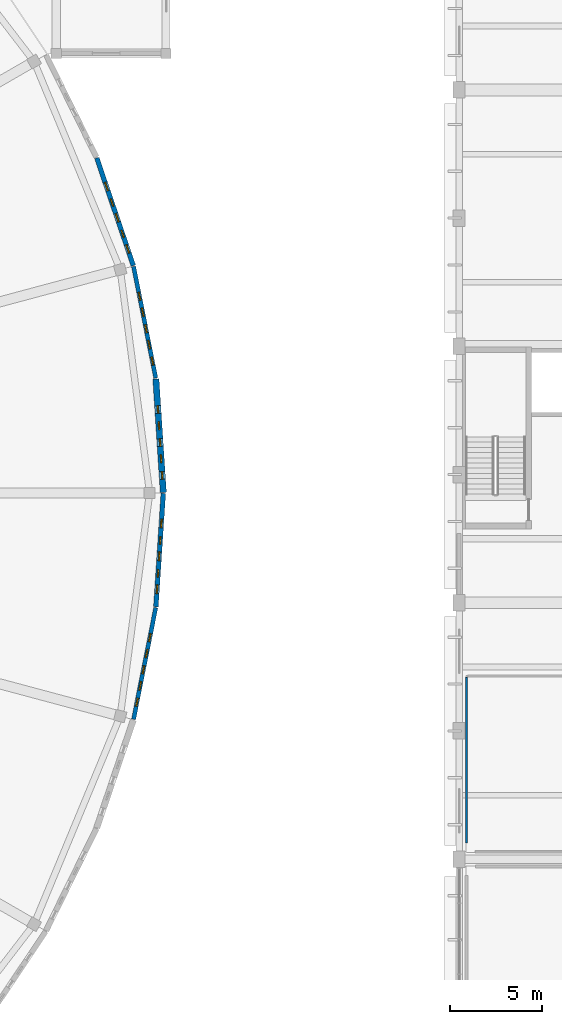
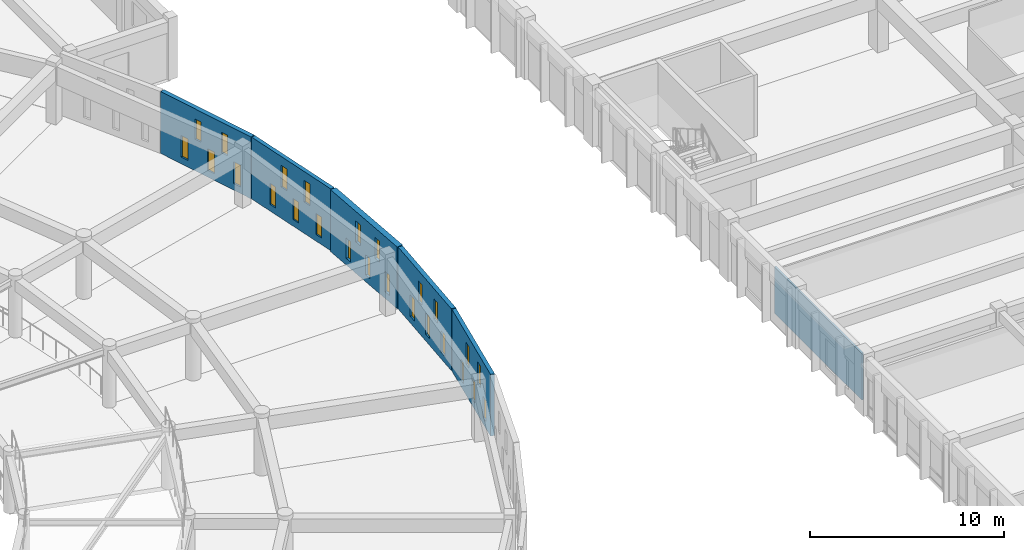
# One storey, part 61 of 98: 25 windows, 6 walls, 25 openings.
"""IFC4 building model written with IfcOpenShell, lengths in metres."""

from ifc_helpers import new_model, si_unit, direction, frame, frame_2d, origin, place, context, subcontext, project, spatial, rectangle, extrude, material, layer, layer_set, type_object, element, fill, save


model = new_model("IFC4")

# Units and contexts
model_context = context("Model", 3, precision=1e-05, world=origin(), true_north=direction((0.0, 1.0)))
body_context = subcontext(model_context, "Body", "Model", "MODEL_VIEW")
ifc_project = project(units=[si_unit("LENGTHUNIT", "METRE"), si_unit("AREAUNIT", "SQUARE_METRE"), si_unit("VOLUMEUNIT", "CUBIC_METRE"), si_unit("PLANEANGLEUNIT", "RADIAN"), si_unit("MASSUNIT", "GRAM", prefix="KILO")], contexts=[model_context])

# Site, building, storey
site_placement = place(None, origin())
site = spatial("IfcSite", under=ifc_project, at=site_placement, CompositionType="ELEMENT")
building_placement = place(site_placement, origin())
building = spatial("IfcBuilding", under=site, at=building_placement, Name="Larkveld Mobility Hub", CompositionType="ELEMENT")
storey_placement = place(building_placement, frame((0.0, 0.0, 4.5)))
storey = spatial("IfcBuildingStorey", under=building, at=storey_placement, Name="L01", CompositionType="ELEMENT", Elevation=4.5)

# Wall, openings, windows
ifc_material_1 = material(Name="Fired clay brick 25 MPa", Category="masonry")
ifc_layer_1 = layer(ifc_material_1, 0.22998046875, Name="Fired clay brick 25 MPa", Category="masonry")
ifc_layer_set_1 = layer_set([ifc_layer_1], Name="Fired clay brick 25 MPa")
wall_type_1 = type_object("IfcWallType", Name="WL-BRK-230", PredefinedType="USERDEFINED", material=ifc_layer_set_1)
wall_1_placement = place(storey_placement, frame((95.43603515625, 54.27001953125, 0.0), z_axis=(0.0, 0.0, 1.0), x_axis=(-0.195019632022, 0.980799338869, 0.0)))
wall_1 = element("IfcWall", 1, at=wall_1_placement, inside=storey, type_object=wall_type_1, Name="Drum Woven Open-Bond Brick Chord L01-0048", ObjectType="PERFORATED BRICK SCREEN", PredefinedType="USERDEFINED", context=body_context, shape_type="SweptSolid", body=[
    extrude(rectangle(XDim=6.209228515625, YDim=0.22998046875, at=frame_2d((3.1044921875, 0.0))), origin(), (0.0, 0.0, 1.0), 3.89990234375),
])
opening_1_placement = place(wall_1_placement, frame((0.719970703125, 0.0, 0.419921875)))
opening_1 = element("IfcOpeningElement", 2, at=opening_1_placement, cuts=wall_1, Name="Opening W02", PredefinedType="OPENING", context=body_context, shape_type="SweptSolid", body=[
    extrude(rectangle(XDim=0.449951171875, YDim=1.320068359375, at=frame_2d((0.22509765625, 0.66015625))), frame((0.0, 0.125, 0.0), z_axis=(0.0, -1.0, 0.0), x_axis=(1.0, 0.0, 0.0)), (0.0, 0.0, 1.0), 0.25),
])
opening_2_placement = place(wall_1_placement, frame((2.52001953125, 0.0, 0.419921875)))
opening_2 = element("IfcOpeningElement", 3, at=opening_2_placement, cuts=wall_1, Name="Opening W02", PredefinedType="OPENING", context=body_context, shape_type="SweptSolid", body=[
    extrude(rectangle(XDim=0.449951171875, YDim=1.320068359375, at=frame_2d((0.22509765625, 0.66015625))), frame((0.0, 0.125, 0.0), z_axis=(0.0, -1.0, 0.0), x_axis=(1.0, 0.0, 0.0)), (0.0, 0.0, 1.0), 0.25),
])
opening_3_placement = place(wall_1_placement, frame((4.320068359375, 0.0, 0.419921875)))
opening_3 = element("IfcOpeningElement", 4, at=opening_3_placement, cuts=wall_1, Name="Opening W02", PredefinedType="OPENING", context=body_context, shape_type="SweptSolid", body=[
    extrude(rectangle(XDim=0.449951171875, YDim=1.320068359375, at=frame_2d((0.22509765625, 0.66015625))), frame((0.0, 0.125, 0.0), z_axis=(0.0, -1.0, 0.0), x_axis=(1.0, 0.0, 0.0)), (0.0, 0.0, 1.0), 0.25),
])
opening_4_placement = place(wall_1_placement, frame((1.6201171875, 0.0, 1.97998046875)))
opening_4 = element("IfcOpeningElement", 5, at=opening_4_placement, cuts=wall_1, Name="Opening W03", PredefinedType="OPENING", context=body_context, shape_type="SweptSolid", body=[
    extrude(rectangle(XDim=0.47998046875, YDim=1.360107421875, at=frame_2d((0.239990234375, 0.68017578125))), frame((0.0, 0.125, 0.0), z_axis=(0.0, -1.0, 0.0), x_axis=(1.0, 0.0, 0.0)), (0.0, 0.0, 1.0), 0.25),
])
opening_5_placement = place(wall_1_placement, frame((3.419921875, 0.0, 1.97998046875)))
opening_5 = element("IfcOpeningElement", 6, at=opening_5_placement, cuts=wall_1, Name="Opening W03", PredefinedType="OPENING", context=body_context, shape_type="SweptSolid", body=[
    extrude(rectangle(XDim=0.47998046875, YDim=1.360107421875, at=frame_2d((0.239990234375, 0.68017578125))), frame((0.0, 0.125, 0.0), z_axis=(0.0, -1.0, 0.0), x_axis=(1.0, 0.0, 0.0)), (0.0, 0.0, 1.0), 0.25),
])
ifc_material_2 = material(Name="Extruded aluminium ventilation grille", Category="aluminium")
window_type_1 = type_object("IfcWindowType", Name="WN-VENT-02", PartitioningType="SINGLE_PANEL", PredefinedType="WINDOW", material=ifc_material_2)
window_1_placement = place(opening_1_placement, origin())
window_1 = element("IfcWindow", 7, at=window_1_placement, inside=storey, type_object=window_type_1, Name="Window W02 (0226)", OverallHeight=1.320068359375, OverallWidth=0.449951171875, PartitioningType="SINGLE_PANEL", PredefinedType="WINDOW", context=body_context, shape_type="SweptSolid", body=[
    extrude(rectangle(XDim=0.449951171875, YDim=1.320068359375, at=frame_2d((0.22509765625, 0.66015625))), frame((0.0, 0.030029296875, 0.0), z_axis=(0.0, -1.0, 0.0), x_axis=(1.0, 0.0, 0.0)), (0.0, 0.0, 1.0), 0.06005859375),
])
fill(opening_1, window_1)
window_2_placement = place(opening_2_placement, origin())
window_2 = element("IfcWindow", 8, at=window_2_placement, inside=storey, type_object=window_type_1, Name="Window W02 (0227)", OverallHeight=1.320068359375, OverallWidth=0.449951171875, PartitioningType="SINGLE_PANEL", PredefinedType="WINDOW", context=body_context, shape_type="SweptSolid", body=[
    extrude(rectangle(XDim=0.449951171875, YDim=1.320068359375, at=frame_2d((0.22509765625, 0.66015625))), frame((0.0, 0.030029296875, 0.0), z_axis=(0.0, -1.0, 0.0), x_axis=(1.0, 0.0, 0.0)), (0.0, 0.0, 1.0), 0.06005859375),
])
fill(opening_2, window_2)
window_3_placement = place(opening_3_placement, origin())
window_3 = element("IfcWindow", 9, at=window_3_placement, inside=storey, type_object=window_type_1, Name="Window W02 (0228)", OverallHeight=1.320068359375, OverallWidth=0.449951171875, PartitioningType="SINGLE_PANEL", PredefinedType="WINDOW", context=body_context, shape_type="SweptSolid", body=[
    extrude(rectangle(XDim=0.449951171875, YDim=1.320068359375, at=frame_2d((0.22509765625, 0.66015625))), frame((0.0, 0.030029296875, 0.0), z_axis=(0.0, -1.0, 0.0), x_axis=(1.0, 0.0, 0.0)), (0.0, 0.0, 1.0), 0.06005859375),
])
fill(opening_3, window_3)
window_type_2 = type_object("IfcWindowType", Name="WN-VENT-03", PartitioningType="SINGLE_PANEL", PredefinedType="WINDOW", material=ifc_material_2)
window_4_placement = place(opening_4_placement, origin())
window_4 = element("IfcWindow", 10, at=window_4_placement, inside=storey, type_object=window_type_2, Name="Window W03 (0229)", OverallHeight=1.360107421875, OverallWidth=0.47998046875, PartitioningType="SINGLE_PANEL", PredefinedType="WINDOW", context=body_context, shape_type="SweptSolid", body=[
    extrude(rectangle(XDim=0.47998046875, YDim=1.360107421875, at=frame_2d((0.239990234375, 0.68017578125))), frame((0.0, 0.030029296875, 0.0), z_axis=(0.0, -1.0, 0.0), x_axis=(1.0, 0.0, 0.0)), (0.0, 0.0, 1.0), 0.06005859375),
])
fill(opening_4, window_4)
window_5_placement = place(opening_5_placement, origin())
window_5 = element("IfcWindow", 11, at=window_5_placement, inside=storey, type_object=window_type_2, Name="Window W03 (0230)", OverallHeight=1.360107421875, OverallWidth=0.47998046875, PartitioningType="SINGLE_PANEL", PredefinedType="WINDOW", context=body_context, shape_type="SweptSolid", body=[
    extrude(rectangle(XDim=0.47998046875, YDim=1.360107421875, at=frame_2d((0.239990234375, 0.68017578125))), frame((0.0, 0.030029296875, 0.0), z_axis=(0.0, -1.0, 0.0), x_axis=(1.0, 0.0, 0.0)), (0.0, 0.0, 1.0), 0.06005859375),
])
fill(opening_5, window_5)

wall_2_placement = place(storey_placement, frame((94.22509765625, 35.639892578125, 0.0), z_axis=(0.0, 0.0, 1.0), x_axis=(0.195019632022, 0.980799338869, 0.0)))
wall_2 = element("IfcWall", 12, at=wall_2_placement, inside=storey, type_object=wall_type_1, Name="Drum Woven Open-Bond Brick Chord L01-0091", ObjectType="PERFORATED BRICK SCREEN", PredefinedType="USERDEFINED", context=body_context, shape_type="SweptSolid", body=[
    extrude(rectangle(XDim=6.209228515625, YDim=0.22998046875, at=frame_2d((3.1044921875, 0.0))), origin(), (0.0, 0.0, 1.0), 3.89990234375),
])
opening_6_placement = place(wall_2_placement, frame((0.719970703125, 0.0, 0.419921875)))
opening_6 = element("IfcOpeningElement", 13, at=opening_6_placement, cuts=wall_2, Name="Opening W02", PredefinedType="OPENING", context=body_context, shape_type="SweptSolid", body=[
    extrude(rectangle(XDim=0.449951171875, YDim=1.320068359375, at=frame_2d((0.22509765625, 0.66015625))), frame((0.0, 0.125, 0.0), z_axis=(0.0, -1.0, 0.0), x_axis=(1.0, 0.0, 0.0)), (0.0, 0.0, 1.0), 0.25),
])
opening_7_placement = place(wall_2_placement, frame((2.52001953125, 0.0, 0.419921875)))
opening_7 = element("IfcOpeningElement", 14, at=opening_7_placement, cuts=wall_2, Name="Opening W02", PredefinedType="OPENING", context=body_context, shape_type="SweptSolid", body=[
    extrude(rectangle(XDim=0.449951171875, YDim=1.320068359375, at=frame_2d((0.22509765625, 0.66015625))), frame((0.0, 0.125, 0.0), z_axis=(0.0, -1.0, 0.0), x_axis=(1.0, 0.0, 0.0)), (0.0, 0.0, 1.0), 0.25),
])
opening_8_placement = place(wall_2_placement, frame((4.320068359375, 0.0, 0.419921875)))
opening_8 = element("IfcOpeningElement", 15, at=opening_8_placement, cuts=wall_2, Name="Opening W02", PredefinedType="OPENING", context=body_context, shape_type="SweptSolid", body=[
    extrude(rectangle(XDim=0.449951171875, YDim=1.320068359375, at=frame_2d((0.22509765625, 0.66015625))), frame((0.0, 0.125, 0.0), z_axis=(0.0, -1.0, 0.0), x_axis=(1.0, 0.0, 0.0)), (0.0, 0.0, 1.0), 0.25),
])
opening_9_placement = place(wall_2_placement, frame((1.6201171875, 0.0, 1.97998046875)))
opening_9 = element("IfcOpeningElement", 16, at=opening_9_placement, cuts=wall_2, Name="Opening W03", PredefinedType="OPENING", context=body_context, shape_type="SweptSolid", body=[
    extrude(rectangle(XDim=0.47998046875, YDim=1.360107421875, at=frame_2d((0.239990234375, 0.68017578125))), frame((0.0, 0.125, 0.0), z_axis=(0.0, -1.0, 0.0), x_axis=(1.0, 0.0, 0.0)), (0.0, 0.0, 1.0), 0.25),
])
opening_10_placement = place(wall_2_placement, frame((3.419921875, 0.0, 1.97998046875)))
opening_10 = element("IfcOpeningElement", 17, at=opening_10_placement, cuts=wall_2, Name="Opening W03", PredefinedType="OPENING", context=body_context, shape_type="SweptSolid", body=[
    extrude(rectangle(XDim=0.47998046875, YDim=1.360107421875, at=frame_2d((0.239990234375, 0.68017578125))), frame((0.0, 0.125, 0.0), z_axis=(0.0, -1.0, 0.0), x_axis=(1.0, 0.0, 0.0)), (0.0, 0.0, 1.0), 0.25),
])
window_6_placement = place(opening_6_placement, origin())
window_6 = element("IfcWindow", 18, at=window_6_placement, inside=storey, type_object=window_type_1, Name="Window W02 (0441)", OverallHeight=1.320068359375, OverallWidth=0.449951171875, PartitioningType="SINGLE_PANEL", PredefinedType="WINDOW", context=body_context, shape_type="SweptSolid", body=[
    extrude(rectangle(XDim=0.449951171875, YDim=1.320068359375, at=frame_2d((0.22509765625, 0.66015625))), frame((0.0, 0.030029296875, 0.0), z_axis=(0.0, -1.0, 0.0), x_axis=(1.0, 0.0, 0.0)), (0.0, 0.0, 1.0), 0.06005859375),
])
fill(opening_6, window_6)
window_7_placement = place(opening_7_placement, origin())
window_7 = element("IfcWindow", 19, at=window_7_placement, inside=storey, type_object=window_type_1, Name="Window W02 (0442)", OverallHeight=1.320068359375, OverallWidth=0.449951171875, PartitioningType="SINGLE_PANEL", PredefinedType="WINDOW", context=body_context, shape_type="SweptSolid", body=[
    extrude(rectangle(XDim=0.449951171875, YDim=1.320068359375, at=frame_2d((0.22509765625, 0.66015625))), frame((0.0, 0.030029296875, 0.0), z_axis=(0.0, -1.0, 0.0), x_axis=(1.0, 0.0, 0.0)), (0.0, 0.0, 1.0), 0.06005859375),
])
fill(opening_7, window_7)
window_8_placement = place(opening_8_placement, origin())
window_8 = element("IfcWindow", 20, at=window_8_placement, inside=storey, type_object=window_type_1, Name="Window W02 (0443)", OverallHeight=1.320068359375, OverallWidth=0.449951171875, PartitioningType="SINGLE_PANEL", PredefinedType="WINDOW", context=body_context, shape_type="SweptSolid", body=[
    extrude(rectangle(XDim=0.449951171875, YDim=1.320068359375, at=frame_2d((0.22509765625, 0.66015625))), frame((0.0, 0.030029296875, 0.0), z_axis=(0.0, -1.0, 0.0), x_axis=(1.0, 0.0, 0.0)), (0.0, 0.0, 1.0), 0.06005859375),
])
fill(opening_8, window_8)
window_9_placement = place(opening_9_placement, origin())
window_9 = element("IfcWindow", 21, at=window_9_placement, inside=storey, type_object=window_type_2, Name="Window W03 (0444)", OverallHeight=1.360107421875, OverallWidth=0.47998046875, PartitioningType="SINGLE_PANEL", PredefinedType="WINDOW", context=body_context, shape_type="SweptSolid", body=[
    extrude(rectangle(XDim=0.47998046875, YDim=1.360107421875, at=frame_2d((0.239990234375, 0.68017578125))), frame((0.0, 0.030029296875, 0.0), z_axis=(0.0, -1.0, 0.0), x_axis=(1.0, 0.0, 0.0)), (0.0, 0.0, 1.0), 0.06005859375),
])
fill(opening_9, window_9)
window_10_placement = place(opening_10_placement, origin())
window_10 = element("IfcWindow", 22, at=window_10_placement, inside=storey, type_object=window_type_2, Name="Window W03 (0445)", OverallHeight=1.360107421875, OverallWidth=0.47998046875, PartitioningType="SINGLE_PANEL", PredefinedType="WINDOW", context=body_context, shape_type="SweptSolid", body=[
    extrude(rectangle(XDim=0.47998046875, YDim=1.360107421875, at=frame_2d((0.239990234375, 0.68017578125))), frame((0.0, 0.030029296875, 0.0), z_axis=(0.0, -1.0, 0.0), x_axis=(1.0, 0.0, 0.0)), (0.0, 0.0, 1.0), 0.06005859375),
])
fill(opening_10, window_10)

ifc_layer_2 = layer(ifc_material_1, 0.260009765625, Name="Fired clay brick 25 MPa", Category="masonry")
ifc_layer_set_2 = layer_set([ifc_layer_2], Name="Fired clay brick 25 MPa")
wall_type_2 = type_object("IfcWallType", Name="WL-BRK-260", PredefinedType="USERDEFINED", material=ifc_layer_set_2)
wall_3_placement = place(storey_placement, frame((94.2119140625, 60.406982421875, 0.0), z_axis=(0.0, 0.0, 1.0), x_axis=(-0.321364960579, 0.946955417172, 0.0)))
wall_3 = element("IfcWall", 23, at=wall_3_placement, inside=storey, type_object=wall_type_2, Name="Drum Woven Open-Bond Brick Chord L01-0049", ObjectType="PERFORATED BRICK SCREEN", PredefinedType="USERDEFINED", context=body_context, shape_type="SweptSolid", body=[
    extrude(rectangle(XDim=6.21044921875, YDim=0.260009765625, at=frame_2d((3.105224609375, 0.0))), origin(), (0.0, 0.0, 1.0), 3.89990234375),
])
opening_11_placement = place(wall_3_placement, frame((0.719970703125, 0.0, 0.419921875)))
opening_11 = element("IfcOpeningElement", 24, at=opening_11_placement, cuts=wall_3, Name="Opening W03", PredefinedType="OPENING", context=body_context, shape_type="SweptSolid", body=[
    extrude(rectangle(XDim=0.47998046875, YDim=1.360107421875, at=frame_2d((0.239990234375, 0.68017578125))), frame((0.0, 0.14013671875, 0.0), z_axis=(0.0, -1.0, 0.0), x_axis=(1.0, 0.0, 0.0)), (0.0, 0.0, 1.0), 0.280029296875),
])
opening_12_placement = place(wall_3_placement, frame((2.52001953125, 0.0, 0.419921875)))
opening_12 = element("IfcOpeningElement", 25, at=opening_12_placement, cuts=wall_3, Name="Opening W03", PredefinedType="OPENING", context=body_context, shape_type="SweptSolid", body=[
    extrude(rectangle(XDim=0.47998046875, YDim=1.360107421875, at=frame_2d((0.239990234375, 0.68017578125))), frame((0.0, 0.14013671875, 0.0), z_axis=(0.0, -1.0, 0.0), x_axis=(1.0, 0.0, 0.0)), (0.0, 0.0, 1.0), 0.280029296875),
])
opening_13_placement = place(wall_3_placement, frame((4.320068359375, 0.0, 0.419921875)))
opening_13 = element("IfcOpeningElement", 26, at=opening_13_placement, cuts=wall_3, Name="Opening W03", PredefinedType="OPENING", context=body_context, shape_type="SweptSolid", body=[
    extrude(rectangle(XDim=0.47998046875, YDim=1.360107421875, at=frame_2d((0.239990234375, 0.68017578125))), frame((0.0, 0.14013671875, 0.0), z_axis=(0.0, -1.0, 0.0), x_axis=(1.0, 0.0, 0.0)), (0.0, 0.0, 1.0), 0.280029296875),
])
opening_14_placement = place(wall_3_placement, frame((1.6201171875, 0.0, 1.97998046875)))
opening_14 = element("IfcOpeningElement", 27, at=opening_14_placement, cuts=wall_3, Name="Opening W01", PredefinedType="OPENING", context=body_context, shape_type="SweptSolid", body=[
    extrude(rectangle(XDim=0.419921875, YDim=1.280029296875, at=frame_2d((0.2099609375, 0.64013671875))), frame((0.0, 0.14013671875, 0.0), z_axis=(0.0, -1.0, 0.0), x_axis=(1.0, 0.0, 0.0)), (0.0, 0.0, 1.0), 0.280029296875),
])
opening_15_placement = place(wall_3_placement, frame((3.419921875, 0.0, 1.97998046875)))
opening_15 = element("IfcOpeningElement", 28, at=opening_15_placement, cuts=wall_3, Name="Opening W01", PredefinedType="OPENING", context=body_context, shape_type="SweptSolid", body=[
    extrude(rectangle(XDim=0.419921875, YDim=1.280029296875, at=frame_2d((0.2099609375, 0.64013671875))), frame((0.0, 0.14013671875, 0.0), z_axis=(0.0, -1.0, 0.0), x_axis=(1.0, 0.0, 0.0)), (0.0, 0.0, 1.0), 0.280029296875),
])
window_type_3 = type_object("IfcWindowType", Name="WN-VENT-01", PartitioningType="SINGLE_PANEL", PredefinedType="WINDOW", material=ifc_material_2)
window_11_placement = place(opening_14_placement, origin())
window_11 = element("IfcWindow", 29, at=window_11_placement, inside=storey, type_object=window_type_3, Name="Window W01 (0234)", OverallHeight=1.280029296875, OverallWidth=0.419921875, PartitioningType="SINGLE_PANEL", PredefinedType="WINDOW", context=body_context, shape_type="SweptSolid", body=[
    extrude(rectangle(XDim=0.419921875, YDim=1.280029296875, at=frame_2d((0.2099609375, 0.64013671875))), frame((0.0, 0.030029296875, 0.0), z_axis=(0.0, -1.0, 0.0), x_axis=(1.0, 0.0, 0.0)), (0.0, 0.0, 1.0), 0.06005859375),
])
fill(opening_14, window_11)
window_12_placement = place(opening_15_placement, origin())
window_12 = element("IfcWindow", 30, at=window_12_placement, inside=storey, type_object=window_type_3, Name="Window W01 (0235)", OverallHeight=1.280029296875, OverallWidth=0.419921875, PartitioningType="SINGLE_PANEL", PredefinedType="WINDOW", context=body_context, shape_type="SweptSolid", body=[
    extrude(rectangle(XDim=0.419921875, YDim=1.280029296875, at=frame_2d((0.2099609375, 0.64013671875))), frame((0.0, 0.030029296875, 0.0), z_axis=(0.0, -1.0, 0.0), x_axis=(1.0, 0.0, 0.0)), (0.0, 0.0, 1.0), 0.06005859375),
])
fill(opening_15, window_12)
window_13_placement = place(opening_11_placement, origin())
window_13 = element("IfcWindow", 31, at=window_13_placement, inside=storey, type_object=window_type_2, Name="Window W03 (0231)", OverallHeight=1.360107421875, OverallWidth=0.47998046875, PartitioningType="SINGLE_PANEL", PredefinedType="WINDOW", context=body_context, shape_type="SweptSolid", body=[
    extrude(rectangle(XDim=0.47998046875, YDim=1.360107421875, at=frame_2d((0.239990234375, 0.68017578125))), frame((0.0, 0.030029296875, 0.0), z_axis=(0.0, -1.0, 0.0), x_axis=(1.0, 0.0, 0.0)), (0.0, 0.0, 1.0), 0.06005859375),
])
fill(opening_11, window_13)
window_14_placement = place(opening_12_placement, origin())
window_14 = element("IfcWindow", 32, at=window_14_placement, inside=storey, type_object=window_type_2, Name="Window W03 (0232)", OverallHeight=1.360107421875, OverallWidth=0.47998046875, PartitioningType="SINGLE_PANEL", PredefinedType="WINDOW", context=body_context, shape_type="SweptSolid", body=[
    extrude(rectangle(XDim=0.47998046875, YDim=1.360107421875, at=frame_2d((0.239990234375, 0.68017578125))), frame((0.0, 0.030029296875, 0.0), z_axis=(0.0, -1.0, 0.0), x_axis=(1.0, 0.0, 0.0)), (0.0, 0.0, 1.0), 0.06005859375),
])
fill(opening_12, window_14)
window_15_placement = place(opening_13_placement, origin())
window_15 = element("IfcWindow", 33, at=window_15_placement, inside=storey, type_object=window_type_2, Name="Window W03 (0233)", OverallHeight=1.360107421875, OverallWidth=0.47998046875, PartitioningType="SINGLE_PANEL", PredefinedType="WINDOW", context=body_context, shape_type="SweptSolid", body=[
    extrude(rectangle(XDim=0.47998046875, YDim=1.360107421875, at=frame_2d((0.239990234375, 0.68017578125))), frame((0.0, 0.030029296875, 0.0), z_axis=(0.0, -1.0, 0.0), x_axis=(1.0, 0.0, 0.0)), (0.0, 0.0, 1.0), 0.06005859375),
])
fill(opening_13, window_15)

wall_4_placement = place(storey_placement, frame((95.443115234375, 41.778076171875, 0.0), z_axis=(0.0, 0.0, 1.0), x_axis=(0.065170180182, 0.997874164219, 0.0)))
wall_4 = element("IfcWall", 34, at=wall_4_placement, inside=storey, type_object=wall_type_2, Name="Drum Woven Open-Bond Brick Chord L01-0092", ObjectType="PERFORATED BRICK SCREEN", PredefinedType="USERDEFINED", context=body_context, shape_type="SweptSolid", body=[
    extrude(rectangle(XDim=6.211181640625, YDim=0.260009765625, at=frame_2d((3.10546875, 0.0))), origin(), (0.0, 0.0, 1.0), 3.89990234375),
])
opening_16_placement = place(wall_4_placement, frame((0.719970703125, 0.0, 0.419921875)))
opening_16 = element("IfcOpeningElement", 35, at=opening_16_placement, cuts=wall_4, Name="Opening W03", PredefinedType="OPENING", context=body_context, shape_type="SweptSolid", body=[
    extrude(rectangle(XDim=0.47998046875, YDim=1.360107421875, at=frame_2d((0.239990234375, 0.68017578125))), frame((0.0, 0.14013671875, 0.0), z_axis=(0.0, -1.0, 0.0), x_axis=(1.0, 0.0, 0.0)), (0.0, 0.0, 1.0), 0.280029296875),
])
opening_17_placement = place(wall_4_placement, frame((2.52001953125, 0.0, 0.419921875)))
opening_17 = element("IfcOpeningElement", 36, at=opening_17_placement, cuts=wall_4, Name="Opening W03", PredefinedType="OPENING", context=body_context, shape_type="SweptSolid", body=[
    extrude(rectangle(XDim=0.47998046875, YDim=1.360107421875, at=frame_2d((0.239990234375, 0.68017578125))), frame((0.0, 0.14013671875, 0.0), z_axis=(0.0, -1.0, 0.0), x_axis=(1.0, 0.0, 0.0)), (0.0, 0.0, 1.0), 0.280029296875),
])
opening_18_placement = place(wall_4_placement, frame((4.320068359375, 0.0, 0.419921875)))
opening_18 = element("IfcOpeningElement", 37, at=opening_18_placement, cuts=wall_4, Name="Opening W03", PredefinedType="OPENING", context=body_context, shape_type="SweptSolid", body=[
    extrude(rectangle(XDim=0.47998046875, YDim=1.360107421875, at=frame_2d((0.239990234375, 0.68017578125))), frame((0.0, 0.14013671875, 0.0), z_axis=(0.0, -1.0, 0.0), x_axis=(1.0, 0.0, 0.0)), (0.0, 0.0, 1.0), 0.280029296875),
])
opening_19_placement = place(wall_4_placement, frame((1.6201171875, 0.0, 1.97998046875)))
opening_19 = element("IfcOpeningElement", 38, at=opening_19_placement, cuts=wall_4, Name="Opening W01", PredefinedType="OPENING", context=body_context, shape_type="SweptSolid", body=[
    extrude(rectangle(XDim=0.419921875, YDim=1.280029296875, at=frame_2d((0.2099609375, 0.64013671875))), frame((0.0, 0.14013671875, 0.0), z_axis=(0.0, -1.0, 0.0), x_axis=(1.0, 0.0, 0.0)), (0.0, 0.0, 1.0), 0.280029296875),
])
opening_20_placement = place(wall_4_placement, frame((3.419921875, 0.0, 1.97998046875)))
opening_20 = element("IfcOpeningElement", 39, at=opening_20_placement, cuts=wall_4, Name="Opening W01", PredefinedType="OPENING", context=body_context, shape_type="SweptSolid", body=[
    extrude(rectangle(XDim=0.419921875, YDim=1.280029296875, at=frame_2d((0.2099609375, 0.64013671875))), frame((0.0, 0.14013671875, 0.0), z_axis=(0.0, -1.0, 0.0), x_axis=(1.0, 0.0, 0.0)), (0.0, 0.0, 1.0), 0.280029296875),
])
window_16_placement = place(opening_19_placement, origin())
window_16 = element("IfcWindow", 40, at=window_16_placement, inside=storey, type_object=window_type_3, Name="Window W01 (0449)", OverallHeight=1.280029296875, OverallWidth=0.419921875, PartitioningType="SINGLE_PANEL", PredefinedType="WINDOW", context=body_context, shape_type="SweptSolid", body=[
    extrude(rectangle(XDim=0.419921875, YDim=1.280029296875, at=frame_2d((0.2099609375, 0.64013671875))), frame((0.0, 0.030029296875, 0.0), z_axis=(0.0, -1.0, 0.0), x_axis=(1.0, 0.0, 0.0)), (0.0, 0.0, 1.0), 0.06005859375),
])
fill(opening_19, window_16)
window_17_placement = place(opening_20_placement, origin())
window_17 = element("IfcWindow", 41, at=window_17_placement, inside=storey, type_object=window_type_3, Name="Window W01 (0450)", OverallHeight=1.280029296875, OverallWidth=0.419921875, PartitioningType="SINGLE_PANEL", PredefinedType="WINDOW", context=body_context, shape_type="SweptSolid", body=[
    extrude(rectangle(XDim=0.419921875, YDim=1.280029296875, at=frame_2d((0.2099609375, 0.64013671875))), frame((0.0, 0.030029296875, 0.0), z_axis=(0.0, -1.0, 0.0), x_axis=(1.0, 0.0, 0.0)), (0.0, 0.0, 1.0), 0.06005859375),
])
fill(opening_20, window_17)
window_18_placement = place(opening_16_placement, origin())
window_18 = element("IfcWindow", 42, at=window_18_placement, inside=storey, type_object=window_type_2, Name="Window W03 (0446)", OverallHeight=1.360107421875, OverallWidth=0.47998046875, PartitioningType="SINGLE_PANEL", PredefinedType="WINDOW", context=body_context, shape_type="SweptSolid", body=[
    extrude(rectangle(XDim=0.47998046875, YDim=1.360107421875, at=frame_2d((0.239990234375, 0.68017578125))), frame((0.0, 0.030029296875, 0.0), z_axis=(0.0, -1.0, 0.0), x_axis=(1.0, 0.0, 0.0)), (0.0, 0.0, 1.0), 0.06005859375),
])
fill(opening_16, window_18)
window_19_placement = place(opening_17_placement, origin())
window_19 = element("IfcWindow", 43, at=window_19_placement, inside=storey, type_object=window_type_2, Name="Window W03 (0447)", OverallHeight=1.360107421875, OverallWidth=0.47998046875, PartitioningType="SINGLE_PANEL", PredefinedType="WINDOW", context=body_context, shape_type="SweptSolid", body=[
    extrude(rectangle(XDim=0.47998046875, YDim=1.360107421875, at=frame_2d((0.239990234375, 0.68017578125))), frame((0.0, 0.030029296875, 0.0), z_axis=(0.0, -1.0, 0.0), x_axis=(1.0, 0.0, 0.0)), (0.0, 0.0, 1.0), 0.06005859375),
])
fill(opening_17, window_19)
window_20_placement = place(opening_18_placement, origin())
window_20 = element("IfcWindow", 44, at=window_20_placement, inside=storey, type_object=window_type_2, Name="Window W03 (0448)", OverallHeight=1.360107421875, OverallWidth=0.47998046875, PartitioningType="SINGLE_PANEL", PredefinedType="WINDOW", context=body_context, shape_type="SweptSolid", body=[
    extrude(rectangle(XDim=0.47998046875, YDim=1.360107421875, at=frame_2d((0.239990234375, 0.68017578125))), frame((0.0, 0.030029296875, 0.0), z_axis=(0.0, -1.0, 0.0), x_axis=(1.0, 0.0, 0.0)), (0.0, 0.0, 1.0), 0.06005859375),
])
fill(opening_18, window_20)

ifc_layer_3 = layer(ifc_material_1, 0.340087890625, Name="Fired clay brick 25 MPa", Category="masonry")
ifc_layer_set_3 = layer_set([ifc_layer_3], Name="Fired clay brick 25 MPa")
wall_type_3 = type_object("IfcWallType", Name="WL-BRK-340", PredefinedType="USERDEFINED", material=ifc_layer_set_3)
wall_5_placement = place(storey_placement, frame((95.847900390625, 48.02392578125, 0.0), z_axis=(0.0, 0.0, 1.0), x_axis=(-0.065170180182, 0.997874164219, 0.0)))
wall_5 = element("IfcWall", 45, at=wall_5_placement, inside=storey, type_object=wall_type_3, Name="Drum Woven Open-Bond Brick Chord L01-0047", ObjectType="PERFORATED BRICK SCREEN", PredefinedType="USERDEFINED", context=body_context, shape_type="SweptSolid", body=[
    extrude(rectangle(XDim=6.211181640625, YDim=0.340087890625, at=frame_2d((3.10546875, 0.0))), origin(), (0.0, 0.0, 1.0), 3.89990234375),
])
opening_21_placement = place(wall_5_placement, frame((0.719970703125, 0.0, 0.419921875)))
opening_21 = element("IfcOpeningElement", 46, at=opening_21_placement, cuts=wall_5, Name="Opening W01", PredefinedType="OPENING", context=body_context, shape_type="SweptSolid", body=[
    extrude(rectangle(XDim=0.419921875, YDim=1.280029296875, at=frame_2d((0.2099609375, 0.64013671875))), frame((0.0, 0.18017578125, 0.0), z_axis=(0.0, -1.0, 0.0), x_axis=(1.0, 0.0, 0.0)), (0.0, 0.0, 1.0), 0.360107421875),
])
opening_22_placement = place(wall_5_placement, frame((2.52001953125, 0.0, 0.419921875)))
opening_22 = element("IfcOpeningElement", 47, at=opening_22_placement, cuts=wall_5, Name="Opening W01", PredefinedType="OPENING", context=body_context, shape_type="SweptSolid", body=[
    extrude(rectangle(XDim=0.419921875, YDim=1.280029296875, at=frame_2d((0.2099609375, 0.64013671875))), frame((0.0, 0.18017578125, 0.0), z_axis=(0.0, -1.0, 0.0), x_axis=(1.0, 0.0, 0.0)), (0.0, 0.0, 1.0), 0.360107421875),
])
opening_23_placement = place(wall_5_placement, frame((4.320068359375, 0.0, 0.419921875)))
opening_23 = element("IfcOpeningElement", 48, at=opening_23_placement, cuts=wall_5, Name="Opening W01", PredefinedType="OPENING", context=body_context, shape_type="SweptSolid", body=[
    extrude(rectangle(XDim=0.419921875, YDim=1.280029296875, at=frame_2d((0.2099609375, 0.64013671875))), frame((0.0, 0.18017578125, 0.0), z_axis=(0.0, -1.0, 0.0), x_axis=(1.0, 0.0, 0.0)), (0.0, 0.0, 1.0), 0.360107421875),
])
opening_24_placement = place(wall_5_placement, frame((1.6201171875, 0.0, 1.97998046875)))
opening_24 = element("IfcOpeningElement", 49, at=opening_24_placement, cuts=wall_5, Name="Opening W02", PredefinedType="OPENING", context=body_context, shape_type="SweptSolid", body=[
    extrude(rectangle(XDim=0.449951171875, YDim=1.320068359375, at=frame_2d((0.22509765625, 0.66015625))), frame((0.0, 0.18017578125, 0.0), z_axis=(0.0, -1.0, 0.0), x_axis=(1.0, 0.0, 0.0)), (0.0, 0.0, 1.0), 0.360107421875),
])
opening_25_placement = place(wall_5_placement, frame((3.419921875, 0.0, 1.97998046875)))
opening_25 = element("IfcOpeningElement", 50, at=opening_25_placement, cuts=wall_5, Name="Opening W02", PredefinedType="OPENING", context=body_context, shape_type="SweptSolid", body=[
    extrude(rectangle(XDim=0.449951171875, YDim=1.320068359375, at=frame_2d((0.22509765625, 0.66015625))), frame((0.0, 0.18017578125, 0.0), z_axis=(0.0, -1.0, 0.0), x_axis=(1.0, 0.0, 0.0)), (0.0, 0.0, 1.0), 0.360107421875),
])
window_21_placement = place(opening_21_placement, origin())
window_21 = element("IfcWindow", 51, at=window_21_placement, inside=storey, type_object=window_type_3, Name="Window W01 (0221)", OverallHeight=1.280029296875, OverallWidth=0.419921875, PartitioningType="SINGLE_PANEL", PredefinedType="WINDOW", context=body_context, shape_type="SweptSolid", body=[
    extrude(rectangle(XDim=0.419921875, YDim=1.280029296875, at=frame_2d((0.2099609375, 0.64013671875))), frame((0.0, 0.030029296875, 0.0), z_axis=(0.0, -1.0, 0.0), x_axis=(1.0, 0.0, 0.0)), (0.0, 0.0, 1.0), 0.06005859375),
])
fill(opening_21, window_21)
window_22_placement = place(opening_22_placement, origin())
window_22 = element("IfcWindow", 52, at=window_22_placement, inside=storey, type_object=window_type_3, Name="Window W01 (0222)", OverallHeight=1.280029296875, OverallWidth=0.419921875, PartitioningType="SINGLE_PANEL", PredefinedType="WINDOW", context=body_context, shape_type="SweptSolid", body=[
    extrude(rectangle(XDim=0.419921875, YDim=1.280029296875, at=frame_2d((0.2099609375, 0.64013671875))), frame((0.0, 0.030029296875, 0.0), z_axis=(0.0, -1.0, 0.0), x_axis=(1.0, 0.0, 0.0)), (0.0, 0.0, 1.0), 0.06005859375),
])
fill(opening_22, window_22)
window_23_placement = place(opening_23_placement, origin())
window_23 = element("IfcWindow", 53, at=window_23_placement, inside=storey, type_object=window_type_3, Name="Window W01 (0223)", OverallHeight=1.280029296875, OverallWidth=0.419921875, PartitioningType="SINGLE_PANEL", PredefinedType="WINDOW", context=body_context, shape_type="SweptSolid", body=[
    extrude(rectangle(XDim=0.419921875, YDim=1.280029296875, at=frame_2d((0.2099609375, 0.64013671875))), frame((0.0, 0.030029296875, 0.0), z_axis=(0.0, -1.0, 0.0), x_axis=(1.0, 0.0, 0.0)), (0.0, 0.0, 1.0), 0.06005859375),
])
fill(opening_23, window_23)
window_24_placement = place(opening_24_placement, origin())
window_24 = element("IfcWindow", 54, at=window_24_placement, inside=storey, type_object=window_type_1, Name="Window W02 (0224)", OverallHeight=1.320068359375, OverallWidth=0.449951171875, PartitioningType="SINGLE_PANEL", PredefinedType="WINDOW", context=body_context, shape_type="SweptSolid", body=[
    extrude(rectangle(XDim=0.449951171875, YDim=1.320068359375, at=frame_2d((0.22509765625, 0.66015625))), frame((0.0, 0.030029296875, 0.0), z_axis=(0.0, -1.0, 0.0), x_axis=(1.0, 0.0, 0.0)), (0.0, 0.0, 1.0), 0.06005859375),
])
fill(opening_24, window_24)
window_25_placement = place(opening_25_placement, origin())
window_25 = element("IfcWindow", 55, at=window_25_placement, inside=storey, type_object=window_type_1, Name="Window W02 (0225)", OverallHeight=1.320068359375, OverallWidth=0.449951171875, PartitioningType="SINGLE_PANEL", PredefinedType="WINDOW", context=body_context, shape_type="SweptSolid", body=[
    extrude(rectangle(XDim=0.449951171875, YDim=1.320068359375, at=frame_2d((0.22509765625, 0.66015625))), frame((0.0, 0.030029296875, 0.0), z_axis=(0.0, -1.0, 0.0), x_axis=(1.0, 0.0, 0.0)), (0.0, 0.0, 1.0), 0.06005859375),
])
fill(opening_25, window_25)

# Wall
ifc_material_3 = material(Name="Concrete blockwork masonry 14 MPa", Category="masonry")
ifc_layer_4 = layer(ifc_material_3, 0.10009765625, Name="Concrete blockwork masonry 14 MPa", Category="masonry")
ifc_layer_set_4 = layer_set([ifc_layer_4], Name="Concrete blockwork masonry 14 MPa")
wall_type_4 = type_object("IfcWallType", Name="WL-PRT-100", PredefinedType="PARTITIONING", material=ifc_layer_set_4)
wall_6_placement = place(storey_placement, frame((112.39990234375, 28.889892578125, 0.0), z_axis=(0.0, 0.0, 1.0), x_axis=(0.0, 1.0, 0.0)))
element("IfcWall", 56, at=wall_6_placement, inside=storey, type_object=wall_type_4, Name="Intermodal Passenger Waiting Concourse Partition 0077", PredefinedType="PARTITIONING", context=body_context, shape_type="SweptSolid", body=[
    extrude(rectangle(XDim=9.030029296875, YDim=0.10009765625, at=frame_2d((4.51513671875, 0.0))), origin(), (0.0, 0.0, 1.0), 2.955078125),
])

save(model, "model.ifc")
